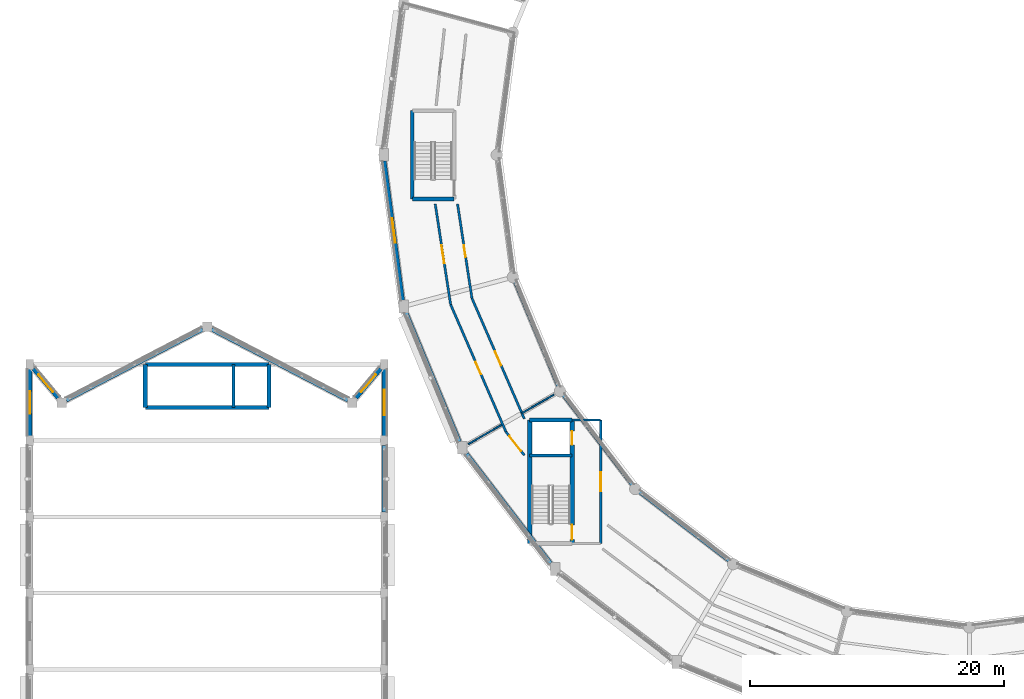
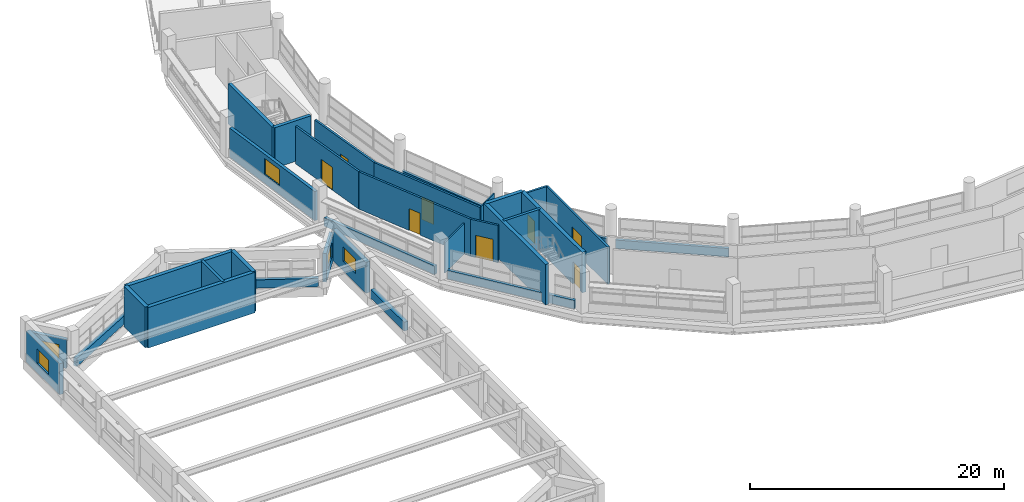
# One storey, part 90 of 108: 33 walls, 8 doors, 5 windows, 13 openings.
"""IFC4 building model written with IfcOpenShell, lengths in metres."""

from ifc_helpers import new_model, si_unit, direction, frame, frame_2d, origin, place, context, subcontext, project, spatial, rectangle, extrude, material, layer, layer_set, type_object, element, fill, save


model = new_model("IFC4")

# Units and contexts
model_context = context("Model", 3, precision=1e-05, world=origin(), true_north=direction((0.0, 1.0)))
body_context = subcontext(model_context, "Body", "Model", "MODEL_VIEW")
ifc_project = project(units=[si_unit("LENGTHUNIT", "METRE"), si_unit("AREAUNIT", "SQUARE_METRE"), si_unit("VOLUMEUNIT", "CUBIC_METRE"), si_unit("PLANEANGLEUNIT", "RADIAN"), si_unit("MASSUNIT", "GRAM", prefix="KILO")], contexts=[model_context])

# Site, building, storey
site_placement = place(None, origin())
site = spatial("IfcSite", under=ifc_project, at=site_placement, CompositionType="ELEMENT")
building_placement = place(site_placement, origin())
building = spatial("IfcBuilding", under=site, at=building_placement, Name="Vespera Passage Community Centre", CompositionType="ELEMENT")
storey_placement = place(building_placement, frame((0.0, 0.0, 12.60009765625)))
storey = spatial("IfcBuildingStorey", under=building, at=storey_placement, Name="L03", CompositionType="ELEMENT", Elevation=12.60009765625)

# Walls
ifc_material_1 = material(Name="Concrete f'c 45 MPa", Category="concrete")
ifc_layer_1 = layer(ifc_material_1, 0.300048828125)
ifc_layer_set_1 = layer_set([ifc_layer_1], Name="Concrete f'c 45 MPa")
wall_type_1 = type_object("IfcWallType", Name="WT-CORE-300I", PredefinedType="SHEAR", material=ifc_layer_set_1)
wall_1_placement = place(storey_placement, frame((37.449951171875, 62.02490234375, 0.0), z_axis=(0.0, 0.0, 1.0), x_axis=(-1.0, 0.0, 0.0)))
element("IfcWall", 1, at=wall_1_placement, inside=storey, type_object=wall_type_1, Name="Core C2 L03 Shear Wall LEFT", PredefinedType="SHEAR", context=body_context, shape_type="SweptSolid", body=[
    extrude(rectangle(XDim=3.300048828125, YDim=0.300048828125, at=frame_2d((1.64990234375, 0.0))), origin(), (0.0, 0.0, 1.0), 3.89990234375),
])
wall_2_placement = place(storey_placement, frame((34.14990234375, 62.02490234375, 0.0), z_axis=(0.0, 0.0, 1.0), x_axis=(0.0, 1.0, 0.0)))
element("IfcWall", 2, at=wall_2_placement, inside=storey, type_object=wall_type_1, Name="Core C2 L03 Shear Wall BACK", PredefinedType="SHEAR", context=body_context, shape_type="SweptSolid", body=[
    extrude(rectangle(XDim=6.9501953125, YDim=0.300048828125, at=frame_2d((3.47509765625, 0.0))), origin(), (0.0, 0.0, 1.0), 3.89990234375),
])

# Wall, openings, doors
ifc_material_2 = material(Name="Concrete f'c 45 MPa", Category="concrete")
ifc_layer_2 = layer(ifc_material_2, 0.340087890625)
ifc_layer_set_2 = layer_set([ifc_layer_2], Name="Concrete f'c 45 MPa")
wall_type_2 = type_object("IfcWallType", Name="WT-CORE-340I", PredefinedType="SHEAR", material=ifc_layer_set_2)
wall_3_placement = place(storey_placement, frame((46.73095703125, 44.6298828125, 0.0), z_axis=(0.0, 0.0, 1.0), x_axis=(0.0, -1.0, 0.0)))
wall_3 = element("IfcWall", 3, at=wall_3_placement, inside=storey, type_object=wall_type_2, Name="Core C3 L03 Shear Wall FRONT", PredefinedType="SHEAR", context=body_context, shape_type="SweptSolid", body=[
    extrude(rectangle(XDim=9.72998046875, YDim=0.340087890625, at=frame_2d((4.864990234375, 0.0))), origin(), (0.0, 0.0, 1.0), 3.89990234375),
])
opening_1_placement = place(wall_3_placement, frame((8.264892578125, 0.0, 0.0)))
opening_1 = element("IfcOpeningElement", 4, at=opening_1_placement, cuts=wall_3, Name="Opening DT-STAIR-90", PredefinedType="OPENING", context=body_context, shape_type="SweptSolid", body=[
    extrude(rectangle(XDim=1.14990234375, YDim=2.14990234375, at=frame_2d((0.574951171875, 1.074951171875))), frame((0.0, 0.179931640625, 0.0), z_axis=(0.0, -1.0, 0.0), x_axis=(1.0, 0.0, 0.0)), (0.0, 0.0, 1.0), 0.360107421875),
])
opening_2_placement = place(wall_3_placement, frame((0.8701171875, 0.0, 0.0)))
opening_2 = element("IfcOpeningElement", 5, at=opening_2_placement, cuts=wall_3, Name="Opening DT-LIFT-110", PredefinedType="OPENING", context=body_context, shape_type="SweptSolid", body=[
    extrude(rectangle(XDim=1.10009765625, YDim=2.14990234375, at=frame_2d((0.550048828125, 1.074951171875))), frame((0.0, 0.179931640625, 0.0), z_axis=(0.0, -1.0, 0.0), x_axis=(1.0, 0.0, 0.0)), (0.0, 0.0, 1.0), 0.360107421875),
])
ifc_material_3 = material(Name="Painted hollow-metal acoustic door", Category="steel")
door_type_1 = type_object("IfcDoorType", Name="DT-LIFT-110", OperationType="NOTDEFINED", PredefinedType="DOOR", material=ifc_material_3)
door_1_placement = place(opening_2_placement, origin())
door_1 = element("IfcDoor", 6, at=door_1_placement, inside=storey, type_object=door_type_1, Name="Elevator EL-01 L03 Landing Door LD-013", OperationType="SLIDING_TO_LEFT", OverallHeight=2.14990234375, OverallWidth=1.10009765625, PredefinedType="DOOR", context=body_context, shape_type="SweptSolid", body=[
    extrude(rectangle(XDim=1.10009765625, YDim=2.14990234375, at=frame_2d((0.550048828125, 1.074951171875))), frame((0.0, 0.02490234375, 0.0), z_axis=(0.0, -1.0, 0.0), x_axis=(1.0, 0.0, 0.0)), (0.0, 0.0, 1.0), 0.050048828125),
])
fill(opening_2, door_1)
ifc_material_4 = material(Name="Painted hollow-metal acoustic door", Category="steel")
door_type_2 = type_object("IfcDoorType", Name="DT-STAIR-90", OperationType="NOTDEFINED", PredefinedType="DOOR", material=ifc_material_4)
door_2_placement = place(opening_1_placement, origin())
door_2 = element("IfcDoor", 7, at=door_2_placement, inside=storey, type_object=door_type_2, Name="Core C3 L03 Exit Stair Door D-080", OperationType="SINGLE_SWING_RIGHT", OverallHeight=2.14990234375, OverallWidth=1.14990234375, PredefinedType="DOOR", context=body_context, shape_type="SweptSolid", body=[
    extrude(rectangle(XDim=1.14990234375, YDim=2.14990234375, at=frame_2d((0.574951171875, 1.074951171875))), frame((0.0, 0.02490234375, 0.0), z_axis=(0.0, -1.0, 0.0), x_axis=(1.0, 0.0, 0.0)), (0.0, 0.0, 1.0), 0.050048828125),
])
fill(opening_1, door_2)

# Walls
wall_4_placement = place(storey_placement, frame((43.39111328125, 34.89990234375, 0.0), z_axis=(0.0, 0.0, 1.0), x_axis=(0.0, 1.0, 0.0)))
element("IfcWall", 8, at=wall_4_placement, inside=storey, type_object=wall_type_2, Name="Core C3 L03 Shear Wall BACK", PredefinedType="SHEAR", context=body_context, shape_type="SweptSolid", body=[
    extrude(rectangle(XDim=9.72998046875, YDim=0.340087890625, at=frame_2d((4.864990234375, 0.0))), origin(), (0.0, 0.0, 1.0), 3.89990234375),
])
wall_5_placement = place(storey_placement, frame((43.39111328125, 44.6298828125, 0.0), z_axis=(0.0, 0.0, 1.0), x_axis=(1.0, 0.0, 0.0)))
element("IfcWall", 9, at=wall_5_placement, inside=storey, type_object=wall_type_2, Name="Core C3 L03 Shear Wall RIGHT", PredefinedType="SHEAR", context=body_context, shape_type="SweptSolid", body=[
    extrude(rectangle(XDim=3.33984375, YDim=0.340087890625, at=frame_2d((1.669921875, 0.0))), origin(), (0.0, 0.0, 1.0), 3.89990234375),
])
wall_6_placement = place(storey_placement, frame((22.864990234375, 45.610107421875, 0.0), z_axis=(0.0, 0.0, 1.0), x_axis=(-1.0, 0.0, 0.0)))
element("IfcWall", 10, at=wall_6_placement, inside=storey, type_object=wall_type_2, Name="Core C5 L03 Shear Wall FRONT", PredefinedType="SHEAR", context=body_context, shape_type="SweptSolid", body=[
    extrude(rectangle(XDim=9.72998046875, YDim=0.340087890625, at=frame_2d((4.864990234375, 0.0))), origin(), (0.0, 0.0, 1.0), 3.89990234375),
])
wall_7_placement = place(storey_placement, frame((13.135009765625, 45.610107421875, 0.0), z_axis=(0.0, 0.0, 1.0), x_axis=(0.0, 1.0, 0.0)))
element("IfcWall", 11, at=wall_7_placement, inside=storey, type_object=wall_type_2, Name="Core C5 L03 Shear Wall LEFT", PredefinedType="SHEAR", context=body_context, shape_type="SweptSolid", body=[
    extrude(rectangle(XDim=3.3798828125, YDim=0.340087890625, at=frame_2d((1.68994140625, 0.0))), origin(), (0.0, 0.0, 1.0), 3.89990234375),
])
wall_8_placement = place(storey_placement, frame((13.135009765625, 48.989990234375, 0.0), z_axis=(0.0, 0.0, 1.0), x_axis=(1.0, 0.0, 0.0)))
element("IfcWall", 12, at=wall_8_placement, inside=storey, type_object=wall_type_2, Name="Core C5 L03 Shear Wall BACK", PredefinedType="SHEAR", context=body_context, shape_type="SweptSolid", body=[
    extrude(rectangle(XDim=9.72998046875, YDim=0.340087890625, at=frame_2d((4.864990234375, 0.0))), origin(), (0.0, 0.0, 1.0), 3.89990234375),
])
wall_9_placement = place(storey_placement, frame((22.864990234375, 48.989990234375, 0.0), z_axis=(0.0, 0.0, 1.0), x_axis=(0.0, -1.0, 0.0)))
element("IfcWall", 13, at=wall_9_placement, inside=storey, type_object=wall_type_2, Name="Core C5 L03 Shear Wall RIGHT", PredefinedType="SHEAR", context=body_context, shape_type="SweptSolid", body=[
    extrude(rectangle(XDim=3.3798828125, YDim=0.340087890625, at=frame_2d((1.68994140625, 0.0))), origin(), (0.0, 0.0, 1.0), 3.89990234375),
])

# Wall, opening, door
ifc_material_5 = material(Name="Gypsum board acoustic stud partition")
ifc_layer_3 = layer(ifc_material_5, 0.179931640625)
ifc_layer_set_3 = layer_set([ifc_layer_3], Name="Gypsum board acoustic stud partition")
wall_type_3 = type_object("IfcWallType", Name="WT-CORR-180I", PredefinedType="PARTITIONING", material=ifc_layer_set_3)
wall_10_placement = place(storey_placement, frame((48.98095703125, 34.89990234375, 0.0), z_axis=(0.0, 0.0, 1.0), x_axis=(0.0, 1.0, 0.0)))
wall_10 = element("IfcWall", 14, at=wall_10_placement, inside=storey, type_object=wall_type_3, Name="Core C3 L03 Lift Lobby Front Wall", PredefinedType="PARTITIONING", context=body_context, shape_type="SweptSolid", body=[
    extrude(rectangle(XDim=9.72998046875, YDim=0.179931640625, at=frame_2d((4.864990234375, 0.0))), origin(), (0.0, 0.0, 1.0), 3.594970703125),
])
opening_3_placement = place(wall_10_placement, frame((4.114990234375, 0.0, 0.0)))
opening_3 = element("IfcOpeningElement", 15, at=opening_3_placement, cuts=wall_10, Name="Opening DT-CORR-150", PredefinedType="OPENING", context=body_context, shape_type="SweptSolid", body=[
    extrude(rectangle(XDim=1.5, YDim=2.14990234375, at=frame_2d((0.75, 1.074951171875))), frame((0.0, 0.099853515625, 0.0), z_axis=(0.0, -1.0, 0.0), x_axis=(1.0, 0.0, 0.0)), (0.0, 0.0, 1.0), 0.199951171875),
])
ifc_material_6 = material(Name="Painted hollow-metal acoustic door", Category="steel")
door_type_3 = type_object("IfcDoorType", Name="DT-CORR-150", OperationType="NOTDEFINED", PredefinedType="DOOR", material=ifc_material_6)
door_3_placement = place(opening_3_placement, origin())
door_3 = element("IfcDoor", 16, at=door_3_placement, inside=storey, type_object=door_type_3, Name="Core C3 L03 Lift Lobby Door D-081", OperationType="SINGLE_SWING_LEFT", OverallHeight=2.14990234375, OverallWidth=1.5, PredefinedType="DOOR", context=body_context, shape_type="SweptSolid", body=[
    extrude(rectangle(XDim=1.5, YDim=2.14990234375, at=frame_2d((0.75, 1.074951171875))), frame((0.0, 0.02490234375, 0.0), z_axis=(0.0, -1.0, 0.0), x_axis=(1.0, 0.0, 0.0)), (0.0, 0.0, 1.0), 0.050048828125),
])
fill(opening_3, door_3)

# Wall
wall_11_placement = place(storey_placement, frame((46.73095703125, 44.6298828125, 0.0), z_axis=(0.0, 0.0, 1.0), x_axis=(1.0, 0.0, 0.0)))
element("IfcWall", 17, at=wall_11_placement, inside=storey, type_object=wall_type_3, Name="Core C3 L03 Lift Lobby Side Wall R", PredefinedType="PARTITIONING", context=body_context, shape_type="SweptSolid", body=[
    extrude(rectangle(XDim=2.25, YDim=0.179931640625, at=frame_2d((1.125, 0.0))), origin(), (0.0, 0.0, 1.0), 3.594970703125),
])

# Wall, opening, door
wall_12_placement = place(storey_placement, frame((35.95654296875, 61.625, 0.0), z_axis=(0.0, 0.0, 1.0), x_axis=(0.151056084549, -0.988525194075, 0.0)))
wall_12 = element("IfcWall", 18, at=wall_12_placement, inside=storey, type_object=wall_type_3, Name="L03 Interior Partition V4-L03-CO11.1", PredefinedType="PARTITIONING", context=body_context, shape_type="SweptSolid", body=[
    extrude(rectangle(XDim=7.99072265625, YDim=0.179931640625, at=frame_2d((3.995361328125, 0.0))), origin(), (0.0, 0.0, 1.0), 3.594970703125),
])
opening_4_placement = place(wall_12_placement, frame((3.270263671875, 0.0, 0.0)))
opening_4 = element("IfcOpeningElement", 19, at=opening_4_placement, cuts=wall_12, Name="Opening DT-PLANT-145", PredefinedType="OPENING", context=body_context, shape_type="SweptSolid", body=[
    extrude(rectangle(XDim=1.449951171875, YDim=2.199951171875, at=frame_2d((0.72509765625, 1.10009765625))), frame((0.0, 0.099853515625, 0.0), z_axis=(0.0, -1.0, 0.0), x_axis=(1.0, 0.0, 0.0)), (0.0, 0.0, 1.0), 0.199951171875),
])
ifc_material_7 = material(Name="Painted hollow-metal acoustic door", Category="steel")
door_type_4 = type_object("IfcDoorType", Name="DT-PLANT-145", OperationType="NOTDEFINED", PredefinedType="DOOR", material=ifc_material_7)
door_4_placement = place(opening_4_placement, origin())
door_4 = element("IfcDoor", 20, at=door_4_placement, inside=storey, type_object=door_type_4, Name="L03 Interior Door D-241", OperationType="SINGLE_SWING_LEFT", OverallHeight=2.199951171875, OverallWidth=1.449951171875, PredefinedType="DOOR", context=body_context, shape_type="SweptSolid", body=[
    extrude(rectangle(XDim=1.449951171875, YDim=2.199951171875, at=frame_2d((0.72509765625, 1.10009765625))), frame((0.0, 0.02490234375, 0.0), z_axis=(0.0, -1.0, 0.0), x_axis=(1.0, 0.0, 0.0)), (0.0, 0.0, 1.0), 0.050048828125),
])
fill(opening_4, door_4)

wall_13_placement = place(storey_placement, frame((37.712158203125, 61.625, 0.0), z_axis=(0.0, 0.0, 1.0), x_axis=(0.151034676109, -0.988528465252, 0.0)))
wall_13 = element("IfcWall", 21, at=wall_13_placement, inside=storey, type_object=wall_type_3, Name="L03 Interior Partition V4-L03-CI11.1", PredefinedType="PARTITIONING", context=body_context, shape_type="SweptSolid", body=[
    extrude(rectangle(XDim=7.500244140625, YDim=0.179931640625, at=frame_2d((3.75, 0.0))), origin(), (0.0, 0.0, 1.0), 3.594970703125),
])
opening_5_placement = place(wall_13_placement, frame((3.275146484375, 0.0, 0.0)))
opening_5 = element("IfcOpeningElement", 22, at=opening_5_placement, cuts=wall_13, Name="Opening DT-CORR-95", PredefinedType="OPENING", context=body_context, shape_type="SweptSolid", body=[
    extrude(rectangle(XDim=0.949951171875, YDim=2.10009765625, at=frame_2d((0.47509765625, 1.050048828125))), frame((0.0, 0.099853515625, 0.0), z_axis=(0.0, -1.0, 0.0), x_axis=(1.0, 0.0, 0.0)), (0.0, 0.0, 1.0), 0.199951171875),
])
ifc_material_8 = material(Name="Painted hollow-metal acoustic door", Category="steel")
door_type_5 = type_object("IfcDoorType", Name="DT-CORR-95", OperationType="NOTDEFINED", PredefinedType="DOOR", material=ifc_material_8)
door_5_placement = place(opening_5_placement, origin())
door_5 = element("IfcDoor", 23, at=door_5_placement, inside=storey, type_object=door_type_5, Name="L03 Interior Door D-242", OperationType="SINGLE_SWING_RIGHT", OverallHeight=2.10009765625, OverallWidth=0.949951171875, PredefinedType="DOOR", context=body_context, shape_type="SweptSolid", body=[
    extrude(rectangle(XDim=0.949951171875, YDim=2.10009765625, at=frame_2d((0.47509765625, 1.050048828125))), frame((0.0, 0.02490234375, 0.0), z_axis=(0.0, -1.0, 0.0), x_axis=(1.0, 0.0, 0.0)), (0.0, 0.0, 1.0), 0.050048828125),
])
fill(opening_5, door_5)

wall_14_placement = place(storey_placement, frame((37.16357421875, 53.72607421875, 0.0), z_axis=(0.0, 0.0, 1.0), x_axis=(0.398403803415, -0.917210122832, 0.0)))
wall_14 = element("IfcWall", 24, at=wall_14_placement, inside=storey, type_object=wall_type_3, Name="L03 Interior Partition V4-L03-CO12.1", PredefinedType="PARTITIONING", context=body_context, shape_type="SweptSolid", body=[
    extrude(rectangle(XDim=10.94140625, YDim=0.179931640625, at=frame_2d((5.470703125, 0.0))), origin(), (0.0, 0.0, 1.0), 3.594970703125),
])
opening_6_placement = place(wall_14_placement, frame((4.94580078125, 0.0, 0.0)))
opening_6 = element("IfcOpeningElement", 25, at=opening_6_placement, cuts=wall_14, Name="Opening DT-CORR-105", PredefinedType="OPENING", context=body_context, shape_type="SweptSolid", body=[
    extrude(rectangle(XDim=1.050048828125, YDim=2.10009765625, at=frame_2d((0.52490234375, 1.050048828125))), frame((0.0, 0.099853515625, 0.0), z_axis=(0.0, -1.0, 0.0), x_axis=(1.0, 0.0, 0.0)), (0.0, 0.0, 1.0), 0.199951171875),
])
ifc_material_9 = material(Name="Painted hollow-metal acoustic door", Category="steel")
door_type_6 = type_object("IfcDoorType", Name="DT-CORR-105", OperationType="NOTDEFINED", PredefinedType="DOOR", material=ifc_material_9)
door_6_placement = place(opening_6_placement, origin())
door_6 = element("IfcDoor", 26, at=door_6_placement, inside=storey, type_object=door_type_6, Name="L03 Interior Door D-243", OperationType="SINGLE_SWING_LEFT", OverallHeight=2.10009765625, OverallWidth=1.050048828125, PredefinedType="DOOR", context=body_context, shape_type="SweptSolid", body=[
    extrude(rectangle(XDim=1.050048828125, YDim=2.10009765625, at=frame_2d((0.52490234375, 1.050048828125))), frame((0.0, 0.02490234375, 0.0), z_axis=(0.0, -1.0, 0.0), x_axis=(1.0, 0.0, 0.0)), (0.0, 0.0, 1.0), 0.050048828125),
])
fill(opening_6, door_6)

wall_15_placement = place(storey_placement, frame((38.844970703125, 54.210693359375, 0.0), z_axis=(0.0, 0.0, 1.0), x_axis=(0.398415754491, -0.917204931612, 0.0)))
wall_15 = element("IfcWall", 27, at=wall_15_placement, inside=storey, type_object=wall_type_3, Name="L03 Interior Partition V4-L03-CI12.1", PredefinedType="PARTITIONING", context=body_context, shape_type="SweptSolid", body=[
    extrude(rectangle(XDim=10.35595703125, YDim=0.179931640625, at=frame_2d((5.177978515625, 0.0))), origin(), (0.0, 0.0, 1.0), 3.594970703125),
])
opening_7_placement = place(wall_15_placement, frame((4.577880859375, 0.0, 0.0)))
opening_7 = element("IfcOpeningElement", 28, at=opening_7_placement, cuts=wall_15, Name="Opening DT-CORR-120", PredefinedType="OPENING", context=body_context, shape_type="SweptSolid", body=[
    extrude(rectangle(XDim=1.199951171875, YDim=2.14990234375, at=frame_2d((0.60009765625, 1.074951171875))), frame((0.0, 0.099853515625, 0.0), z_axis=(0.0, -1.0, 0.0), x_axis=(1.0, 0.0, 0.0)), (0.0, 0.0, 1.0), 0.199951171875),
])
ifc_material_10 = material(Name="Painted hollow-metal acoustic door", Category="steel")
door_type_7 = type_object("IfcDoorType", Name="DT-CORR-120", OperationType="NOTDEFINED", PredefinedType="DOOR", material=ifc_material_10)
door_7_placement = place(opening_7_placement, origin())
door_7 = element("IfcDoor", 29, at=door_7_placement, inside=storey, type_object=door_type_7, Name="L03 Interior Door D-244", OperationType="SINGLE_SWING_RIGHT", OverallHeight=2.14990234375, OverallWidth=1.199951171875, PredefinedType="DOOR", context=body_context, shape_type="SweptSolid", body=[
    extrude(rectangle(XDim=1.199951171875, YDim=2.14990234375, at=frame_2d((0.60009765625, 1.074951171875))), frame((0.0, 0.02490234375, 0.0), z_axis=(0.0, -1.0, 0.0), x_axis=(1.0, 0.0, 0.0)), (0.0, 0.0, 1.0), 0.050048828125),
])
fill(opening_7, door_7)

wall_16_placement = place(storey_placement, frame((41.522705078125, 43.6904296875, 0.0), z_axis=(0.0, 0.0, 1.0), x_axis=(0.619332805276, -0.785128573107, 0.0)))
wall_16 = element("IfcWall", 30, at=wall_16_placement, inside=storey, type_object=wall_type_3, Name="L03 Interior Partition V4-L03-CO13.1", PredefinedType="PARTITIONING", context=body_context, shape_type="SweptSolid", body=[
    extrude(rectangle(XDim=2.33837890625, YDim=0.179931640625, at=frame_2d((1.169189453125, 0.0))), origin(), (0.0, 0.0, 1.0), 3.594970703125),
])
opening_8_placement = place(wall_16_placement, frame((0.419189453125, 0.0, 0.0)))
opening_8 = element("IfcOpeningElement", 31, at=opening_8_placement, cuts=wall_16, Name="Opening DT-CORR-150", PredefinedType="OPENING", context=body_context, shape_type="SweptSolid", body=[
    extrude(rectangle(XDim=1.5, YDim=2.14990234375, at=frame_2d((0.75, 1.074951171875))), frame((0.0, 0.099853515625, 0.0), z_axis=(0.0, -1.0, 0.0), x_axis=(1.0, 0.0, 0.0)), (0.0, 0.0, 1.0), 0.199951171875),
])
door_8_placement = place(opening_8_placement, origin())
door_8 = element("IfcDoor", 32, at=door_8_placement, inside=storey, type_object=door_type_3, Name="L03 Interior Door D-245", OperationType="SINGLE_SWING_LEFT", OverallHeight=2.14990234375, OverallWidth=1.5, PredefinedType="DOOR", context=body_context, shape_type="SweptSolid", body=[
    extrude(rectangle(XDim=1.5, YDim=2.14990234375, at=frame_2d((0.75, 1.074951171875))), frame((0.0, 0.02490234375, 0.0), z_axis=(0.0, -1.0, 0.0), x_axis=(1.0, 0.0, 0.0)), (0.0, 0.0, 1.0), 0.050048828125),
])
fill(opening_8, door_8)

# Walls
ifc_material_11 = material(Name="Concrete f'c 45 MPa", Category="concrete")
ifc_layer_4 = layer(ifc_material_11, 0.239990234375)
ifc_layer_set_4 = layer_set([ifc_layer_4], Name="Concrete f'c 45 MPa")
wall_type_4 = type_object("IfcWallType", Name="WT-DIV-240I", PredefinedType="SHEAR", material=ifc_layer_set_4)
wall_17_placement = place(storey_placement, frame((46.73095703125, 41.840087890625, 0.0), z_axis=(0.0, 0.0, 1.0), x_axis=(-1.0, 0.0, 0.0)))
element("IfcWall", 33, at=wall_17_placement, inside=storey, type_object=wall_type_4, Name="Core C3 L03 Hoistway Divider Wall", PredefinedType="SHEAR", context=body_context, shape_type="SweptSolid", body=[
    extrude(rectangle(XDim=3.33984375, YDim=0.239990234375, at=frame_2d((1.669921875, 0.0))), origin(), (0.0, 0.0, 1.0), 3.89990234375),
])
wall_18_placement = place(storey_placement, frame((20.074951171875, 45.610107421875, 0.0), z_axis=(0.0, 0.0, 1.0), x_axis=(0.0, 1.0, 0.0)))
element("IfcWall", 34, at=wall_18_placement, inside=storey, type_object=wall_type_4, Name="Core C5 L03 Hoistway Divider Wall", PredefinedType="SHEAR", context=body_context, shape_type="SweptSolid", body=[
    extrude(rectangle(XDim=3.3798828125, YDim=0.239990234375, at=frame_2d((1.68994140625, 0.0))), origin(), (0.0, 0.0, 1.0), 3.89990234375),
])
ifc_material_12 = material(Name="Precast concrete f'c 40 MPa", Category="concrete")
ifc_layer_5 = layer(ifc_material_12, 0.25)
ifc_layer_set_5 = layer_set([ifc_layer_5], Name="Precast concrete f'c 40 MPa")
wall_type_5 = type_object("IfcWallType", Name="WT-EXT-250E", PredefinedType="STANDARD", material=ifc_layer_set_5)
wall_19_placement = place(storey_placement, frame((42.182373046875, 55.594970703125, 0.0), z_axis=(0.0, 0.0, 1.0), x_axis=(0.382681519675, -0.923880324771, 0.0)))
element("IfcWall", 35, at=wall_19_placement, inside=storey, type_object=wall_type_5, Name="V4 L03 Court Spandrel Wall I13", PredefinedType="STANDARD", context=body_context, shape_type="SweptSolid", body=[
    extrude(rectangle(XDim=9.111572265625, YDim=0.25, at=frame_2d((4.5556640625, 0.0))), origin(), (0.0, 0.0, 1.0), 0.81982421875),
])
for number, where, z_axis, x_axis, name in (
    (36, (45.998779296875, 46.619873046875, 0.0), (0.0, 0.0, 1.0), (0.608769580289, -0.793347085527, 0.0), "V4 L03 Court Spandrel Wall I14"),
    (37, (51.975830078125, 38.980712890625, 0.0), (0.0, 0.0, 1.0), (0.793347085527, -0.608769580289, 0.0), "V4 L03 Court Spandrel Wall I15"),
):
    element("IfcWall", number, at=place(storey_placement, frame(where, z_axis=z_axis, x_axis=x_axis)), inside=storey, type_object=wall_type_5, Name=name, PredefinedType="STANDARD", context=body_context, shape_type="SweptSolid", body=[
        extrude(rectangle(XDim=9.0048828125, YDim=0.25, at=frame_2d((4.50244140625, 0.0))), origin(), (0.0, 0.0, 1.0), 0.81982421875),
    ])

# Wall, opening, window
ifc_material_13 = material(Name="Precast concrete f'c 40 MPa", Category="concrete")
ifc_layer_6 = layer(ifc_material_13, 0.280029296875)
ifc_layer_set_6 = layer_set([ifc_layer_6], Name="Precast concrete f'c 40 MPa")
wall_type_6 = type_object("IfcWallType", Name="WT-EXT-280E", PredefinedType="STANDARD", material=ifc_layer_set_6)
wall_20_placement = place(storey_placement, frame((33.408203125, 54.043701171875, 0.0), z_axis=(0.0, 0.0, 1.0), x_axis=(-0.130513242145, 0.991446566197, 0.0)))
wall_20 = element("IfcWall", 38, at=wall_20_placement, inside=storey, type_object=wall_type_6, Name="V4 L03 Outer Precast Wall 12", PredefinedType="STANDARD", context=body_context, shape_type="SweptSolid", body=[
    extrude(rectangle(XDim=11.075927734375, YDim=0.280029296875, at=frame_2d((5.5380859375, 0.0))), origin(), (0.0, 0.0, 1.0), 2.805419921875),
])
opening_9_placement = place(wall_20_placement, frame((4.56298828125, 0.0, 0.85009765625)))
opening_9 = element("IfcOpeningElement", 39, at=opening_9_placement, cuts=wall_20, Name="Opening WN-12E", PredefinedType="OPENING", context=body_context, shape_type="SweptSolid", body=[
    extrude(rectangle(XDim=1.949951171875, YDim=1.550048828125, at=frame_2d((0.97509765625, 0.77490234375))), frame((0.0, 0.150146484375, 0.0), z_axis=(0.0, -1.0, 0.0), x_axis=(1.0, 0.0, 0.0)), (0.0, 0.0, 1.0), 0.300048828125),
])
ifc_material_14 = material(Name="Low-E insulated vision glass", Category="glass")
window_type_1 = type_object("IfcWindowType", Name="WN-12E", PartitioningType="SINGLE_PANEL", PredefinedType="WINDOW", material=ifc_material_14)
window_1_placement = place(opening_9_placement, origin())
window_1 = element("IfcWindow", 40, at=window_1_placement, inside=storey, type_object=window_type_1, Name="Window WN-V4-L03-O12", OverallHeight=1.550048828125, OverallWidth=1.949951171875, PartitioningType="SINGLE_PANEL", PredefinedType="WINDOW", context=body_context, shape_type="SweptSolid", body=[
    extrude(rectangle(XDim=1.949951171875, YDim=1.550048828125, at=frame_2d((0.97509765625, 0.77490234375))), frame((0.0, 0.030029296875, 0.0), z_axis=(0.0, -1.0, 0.0), x_axis=(1.0, 0.0, 0.0)), (0.0, 0.0, 1.0), 0.06005859375),
])
fill(opening_9, window_1)

# Walls
wall_21_placement = place(storey_placement, frame((37.878662109375, 42.927001953125, 0.0), z_axis=(0.0, 0.0, 1.0), x_axis=(-0.382695413149, 0.923874569817, 0.0)))
element("IfcWall", 41, at=wall_21_placement, inside=storey, type_object=wall_type_6, Name="V4 L03 Spandrel Wall O13", PredefinedType="STANDARD", context=body_context, shape_type="SweptSolid", body=[
    extrude(rectangle(XDim=11.002197265625, YDim=0.280029296875, at=frame_2d((5.5009765625, 0.0))), origin(), (0.0, 0.0, 1.0), 0.81982421875),
])
wall_22_placement = place(storey_placement, frame((45.04248046875, 33.371337890625, 0.0), z_axis=(0.0, 0.0, 1.0), x_axis=(-0.608753590889, 0.79335935463, 0.0)))
element("IfcWall", 42, at=wall_22_placement, inside=storey, type_object=wall_type_6, Name="V4 L03 Spandrel Wall O14", PredefinedType="STANDARD", context=body_context, shape_type="SweptSolid", body=[
    extrude(rectangle(XDim=10.852294921875, YDim=0.280029296875, at=frame_2d((5.42626953125, 0.0))), origin(), (0.0, 0.0, 1.0), 0.81982421875),
])

# Wall, opening, window
ifc_material_15 = material(Name="Precast concrete f'c 40 MPa", Category="concrete")
ifc_layer_7 = layer(ifc_material_15, 0.320068359375)
ifc_layer_set_7 = layer_set([ifc_layer_7], Name="Precast concrete f'c 40 MPa")
wall_type_7 = type_object("IfcWallType", Name="WT-EXT-320E", PredefinedType="STANDARD", material=ifc_layer_set_7)
wall_23_placement = place(storey_placement, frame((4.333984375, 48.66259765625, 0.0), z_axis=(0.0, 0.0, 1.0), x_axis=(0.643796278673, -0.765196936459, 0.0)))
wall_23 = element("IfcWall", 43, at=wall_23_placement, inside=storey, type_object=wall_type_7, Name="V1 L03 N Apse Wall 1", PredefinedType="STANDARD", context=body_context, shape_type="SweptSolid", body=[
    extrude(rectangle(XDim=3.012451171875, YDim=0.320068359375, at=frame_2d((1.50634765625, 0.0))), origin(), (0.0, 0.0, 1.0), 2.764892578125),
])
opening_10_placement = place(wall_23_placement, frame((0.606201171875, 0.0, 0.75)))
opening_10 = element("IfcOpeningElement", 44, at=opening_10_placement, cuts=wall_23, Name="Opening WN-06E", PredefinedType="OPENING", context=body_context, shape_type="SweptSolid", body=[
    extrude(rectangle(XDim=1.800048828125, YDim=1.39990234375, at=frame_2d((0.89990234375, 0.699951171875))), frame((0.0, 0.170166015625, 0.0), z_axis=(0.0, -1.0, 0.0), x_axis=(1.0, 0.0, 0.0)), (0.0, 0.0, 1.0), 0.340087890625),
])
ifc_material_16 = material(Name="Low-E insulated vision glass", Category="glass")
window_type_2 = type_object("IfcWindowType", Name="WN-06E", PartitioningType="SINGLE_PANEL", PredefinedType="WINDOW", material=ifc_material_16)
window_2_placement = place(opening_10_placement, origin())
window_2 = element("IfcWindow", 45, at=window_2_placement, inside=storey, type_object=window_type_2, Name="Window WN-V1-L03-APN1", OverallHeight=1.39990234375, OverallWidth=1.800048828125, PartitioningType="SINGLE_PANEL", PredefinedType="WINDOW", context=body_context, shape_type="SweptSolid", body=[
    extrude(rectangle(XDim=1.800048828125, YDim=1.39990234375, at=frame_2d((0.89990234375, 0.699951171875))), frame((0.0, 0.030029296875, 0.0), z_axis=(0.0, -1.0, 0.0), x_axis=(1.0, 0.0, 0.0)), (0.0, 0.0, 1.0), 0.06005859375),
])
fill(opening_10, window_2)

# Walls
for number, where, z_axis, x_axis, name in (
    (46, (6.925537109375, 46.18505859375, 0.0), (0.0, 0.0, 1.0), (0.887012674584, 0.46174507591, 0.0), "V1 L03 N Apse Spandrel 2"),
    (47, (18.352783203125, 51.766357421875, 0.0), (0.0, 0.0, 1.0), (0.887012674584, -0.46174507591, 0.0), "V1 L03 N Apse Spandrel 3"),
):
    element("IfcWall", number, at=place(storey_placement, frame(where, z_axis=z_axis, x_axis=x_axis)), inside=storey, type_object=wall_type_7, Name=name, PredefinedType="STANDARD", context=body_context, shape_type="SweptSolid", body=[
        extrude(rectangle(XDim=12.08740234375, YDim=0.320068359375, at=frame_2d((6.043701171875, 0.0))), origin(), (0.0, 0.0, 1.0), 0.7998046875),
    ])

# Wall, opening, window
wall_24_placement = place(storey_placement, frame((29.7265625, 46.357421875, 0.0), z_axis=(0.0, 0.0, 1.0), x_axis=(0.643796278673, 0.765196936459, 0.0)))
wall_24 = element("IfcWall", 48, at=wall_24_placement, inside=storey, type_object=wall_type_7, Name="V1 L03 N Apse Wall 4", PredefinedType="STANDARD", context=body_context, shape_type="SweptSolid", body=[
    extrude(rectangle(XDim=3.012451171875, YDim=0.320068359375, at=frame_2d((1.50634765625, 0.0))), origin(), (0.0, 0.0, 1.0), 2.764892578125),
])
opening_11_placement = place(wall_24_placement, frame((0.606201171875, 0.0, 0.75)))
opening_11 = element("IfcOpeningElement", 49, at=opening_11_placement, cuts=wall_24, Name="Opening WN-06E", PredefinedType="OPENING", context=body_context, shape_type="SweptSolid", body=[
    extrude(rectangle(XDim=1.800048828125, YDim=1.39990234375, at=frame_2d((0.89990234375, 0.699951171875))), frame((0.0, 0.170166015625, 0.0), z_axis=(0.0, -1.0, 0.0), x_axis=(1.0, 0.0, 0.0)), (0.0, 0.0, 1.0), 0.340087890625),
])
window_3_placement = place(opening_11_placement, origin())
window_3 = element("IfcWindow", 50, at=window_3_placement, inside=storey, type_object=window_type_2, Name="Window WN-V1-L03-APN4", OverallHeight=1.39990234375, OverallWidth=1.800048828125, PartitioningType="SINGLE_PANEL", PredefinedType="WINDOW", context=body_context, shape_type="SweptSolid", body=[
    extrude(rectangle(XDim=1.800048828125, YDim=1.39990234375, at=frame_2d((0.89990234375, 0.699951171875))), frame((0.0, 0.030029296875, 0.0), z_axis=(0.0, -1.0, 0.0), x_axis=(1.0, 0.0, 0.0)), (0.0, 0.0, 1.0), 0.06005859375),
])
fill(opening_11, window_3)

# Wall
ifc_material_17 = material(Name="Precast concrete f'c 40 MPa", Category="concrete")
ifc_layer_8 = layer(ifc_material_17, 0.360107421875)
ifc_layer_set_8 = layer_set([ifc_layer_8], Name="Precast concrete f'c 40 MPa")
wall_type_8 = type_object("IfcWallType", Name="WT-EXT-360E", PredefinedType="STANDARD", material=ifc_layer_set_8)
wall_25_placement = place(storey_placement, frame((31.949951171875, 42.625, 0.0), z_axis=(0.0, 0.0, 1.0), x_axis=(0.0, -1.0, 0.0)))
element("IfcWall", 51, at=wall_25_placement, inside=storey, type_object=wall_type_8, Name="V1 L03 Spandrel E6", PredefinedType="STANDARD", context=body_context, shape_type="SweptSolid", body=[
    extrude(rectangle(XDim=5.25, YDim=0.360107421875, at=frame_2d((2.625, 0.0))), origin(), (0.0, 0.0, 1.0), 0.849853515625),
])

# Wall, opening, window
wall_26_placement = place(storey_placement, frame((4.050048828125, 43.375, 0.0), z_axis=(0.0, 0.0, 1.0), x_axis=(0.0, 1.0, 0.0)))
wall_26 = element("IfcWall", 52, at=wall_26_placement, inside=storey, type_object=wall_type_8, Name="V1 L03 Facade Wall W7", PredefinedType="STANDARD", context=body_context, shape_type="SweptSolid", body=[
    extrude(rectangle(XDim=5.25, YDim=0.360107421875, at=frame_2d((2.625, 0.0))), origin(), (0.0, 0.0, 1.0), 2.98486328125),
])
opening_12_placement = place(wall_26_placement, frame((1.72509765625, 0.0, 0.89990234375)))
opening_12 = element("IfcOpeningElement", 53, at=opening_12_placement, cuts=wall_26, Name="Opening WN-06E", PredefinedType="OPENING", context=body_context, shape_type="SweptSolid", body=[
    extrude(rectangle(XDim=1.800048828125, YDim=1.39990234375, at=frame_2d((0.89990234375, 0.699951171875))), frame((0.0, 0.190185546875, 0.0), z_axis=(0.0, -1.0, 0.0), x_axis=(1.0, 0.0, 0.0)), (0.0, 0.0, 1.0), 0.380126953125),
])
window_4_placement = place(opening_12_placement, origin())
window_4 = element("IfcWindow", 54, at=window_4_placement, inside=storey, type_object=window_type_2, Name="Window WN-V1-L03-W7", OverallHeight=1.39990234375, OverallWidth=1.800048828125, PartitioningType="SINGLE_PANEL", PredefinedType="WINDOW", context=body_context, shape_type="SweptSolid", body=[
    extrude(rectangle(XDim=1.800048828125, YDim=1.39990234375, at=frame_2d((0.89990234375, 0.699951171875))), frame((0.0, 0.030029296875, 0.0), z_axis=(0.0, -1.0, 0.0), x_axis=(1.0, 0.0, 0.0)), (0.0, 0.0, 1.0), 0.06005859375),
])
fill(opening_12, window_4)

wall_27_placement = place(storey_placement, frame((31.949951171875, 48.625, 0.0), z_axis=(0.0, 0.0, 1.0), x_axis=(0.0, -1.0, 0.0)))
wall_27 = element("IfcWall", 55, at=wall_27_placement, inside=storey, type_object=wall_type_8, Name="V1 L03 Facade Wall E7", PredefinedType="STANDARD", context=body_context, shape_type="SweptSolid", body=[
    extrude(rectangle(XDim=5.25, YDim=0.360107421875, at=frame_2d((2.625, 0.0))), origin(), (0.0, 0.0, 1.0), 2.98486328125),
])
opening_13_placement = place(wall_27_placement, frame((1.625, 0.0, 0.89990234375)))
opening_13 = element("IfcOpeningElement", 56, at=opening_13_placement, cuts=wall_27, Name="Opening WN-07E", PredefinedType="OPENING", context=body_context, shape_type="SweptSolid", body=[
    extrude(rectangle(XDim=2.0, YDim=1.39990234375, at=frame_2d((1.0, 0.699951171875))), frame((0.0, 0.190185546875, 0.0), z_axis=(0.0, -1.0, 0.0), x_axis=(1.0, 0.0, 0.0)), (0.0, 0.0, 1.0), 0.380126953125),
])
ifc_material_18 = material(Name="Low-E insulated vision glass", Category="glass")
window_type_3 = type_object("IfcWindowType", Name="WN-07E", PartitioningType="SINGLE_PANEL", PredefinedType="WINDOW", material=ifc_material_18)
window_5_placement = place(opening_13_placement, origin())
window_5 = element("IfcWindow", 57, at=window_5_placement, inside=storey, type_object=window_type_3, Name="Window WN-V1-L03-E7", OverallHeight=1.39990234375, OverallWidth=2.0, PartitioningType="SINGLE_PANEL", PredefinedType="WINDOW", context=body_context, shape_type="SweptSolid", body=[
    extrude(rectangle(XDim=2.0, YDim=1.39990234375, at=frame_2d((1.0, 0.699951171875))), frame((0.0, 0.030029296875, 0.0), z_axis=(0.0, -1.0, 0.0), x_axis=(1.0, 0.0, 0.0)), (0.0, 0.0, 1.0), 0.06005859375),
])
fill(opening_13, window_5)

# Walls
ifc_material_19 = material(Name="Moisture-resistant gypsum stud partition")
ifc_layer_9 = layer(ifc_material_19, 0.1201171875)
ifc_layer_set_9 = layer_set([ifc_layer_9], Name="Moisture-resistant gypsum stud partition")
wall_type_9 = type_object("IfcWallType", Name="WT-WET-120I", PredefinedType="PARTITIONING", material=ifc_layer_set_9)
wall_28_placement = place(storey_placement, frame((41.19384765625, 44.25, 0.0), z_axis=(0.0, 0.0, 1.0), x_axis=(-0.866037623948, -0.499978833458, 0.0)))
element("IfcWall", 58, at=wall_28_placement, inside=storey, type_object=wall_type_9, Name="L03 Interior Partition V4-L03-RO21-1.1", PredefinedType="PARTITIONING", context=body_context, shape_type="SweptSolid", body=[
    extrude(rectangle(XDim=3.050048828125, YDim=0.1201171875, at=frame_2d((1.52490234375, 0.0))), origin(), (0.0, 0.0, 1.0), 2.95654296875),
])
wall_29_placement = place(storey_placement, frame((45.3076171875, 46.625, 0.0), z_axis=(0.0, 0.0, 1.0), x_axis=(-0.866031096941, -0.499990139034, 0.0)))
element("IfcWall", 59, at=wall_29_placement, inside=storey, type_object=wall_type_9, Name="L03 Interior Partition V4-L03-RI21-1.1", PredefinedType="PARTITIONING", context=body_context, shape_type="SweptSolid", body=[
    extrude(rectangle(XDim=3.0, YDim=0.1201171875, at=frame_2d((1.5, 0.0))), origin(), (0.0, 0.0, 1.0), 2.95654296875),
])

save(model, "model.ifc")
